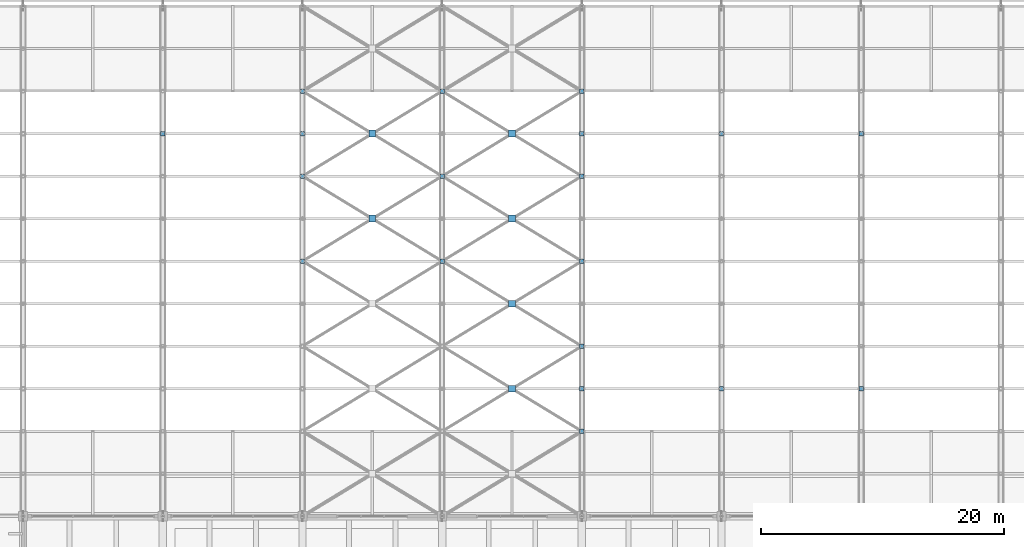
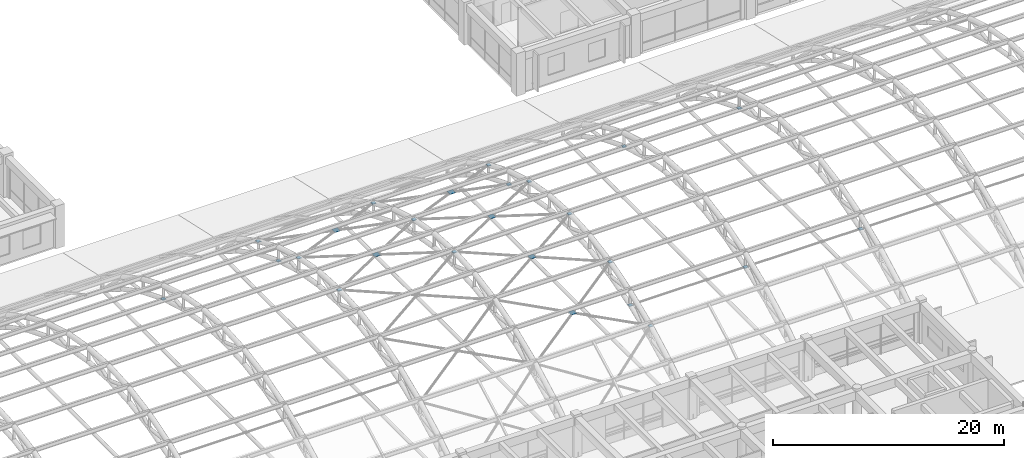
# One storey, part 147 of 154: 25 discrete accessories.
"""IFC4 building model written with IfcOpenShell, lengths in metres."""

from ifc_helpers import new_model, si_unit, direction, frame, origin, origin_2d, place, context, subcontext, project, spatial, rectangle, extrude, material, type_object, element, save


model = new_model("IFC4")

# Units and contexts
model_context = context("Model", 3, precision=1e-05, world=origin(), true_north=direction((0.0, 1.0)))
body_context = subcontext(model_context, "Body", "Model", "MODEL_VIEW")
ifc_project = project(units=[si_unit("LENGTHUNIT", "METRE"), si_unit("AREAUNIT", "SQUARE_METRE"), si_unit("VOLUMEUNIT", "CUBIC_METRE"), si_unit("PLANEANGLEUNIT", "RADIAN"), si_unit("MASSUNIT", "GRAM", prefix="KILO")], contexts=[model_context])

# Site, building, storey
site_placement = place(None, origin())
site = spatial("IfcSite", under=ifc_project, at=site_placement, CompositionType="ELEMENT")
building_placement = place(site_placement, origin())
building = spatial("IfcBuilding", under=site, at=building_placement, Name="Ologun Quay Terminus", CompositionType="ELEMENT")
storey_placement = place(building_placement, frame((0.0, 0.0, 13.800048828125)))
storey = spatial("IfcBuildingStorey", under=building, at=storey_placement, Name="L03", CompositionType="ELEMENT", Elevation=13.800048828125)

# Discrete accessories
ifc_material_1 = material(Name="Steel S355", Category="steel")
discrete_accessory_type_1 = type_object("IfcDiscreteAccessoryType", Name="Brace & Strut End Gusset Connection Plate 360x360x20", PredefinedType="BRACKET", material=ifc_material_1)
for number, where, z_axis, x_axis, name in (
    (1, (69.0, 67.5, 5.419921875), (0.0, 0.0, 1.0), (1.0, 0.0, 0.0), "GUS-END Collector End Gusset B6-K9-E"),
    (2, (80.5, 67.5, 5.419921875), (0.0, 0.0, 1.0), (1.0, 0.0, 0.0), "GUS-END Collector End Gusset B7-K9-E"),
    (3, (92.0, 57.0, 8.7099609375), (0.0, 0.0, 1.0), (1.0, 0.0, 0.0), "GUS-END Wind Brace End Gusset B8-K4-2"),
    (4, (80.5, 57.0, 8.7099609375), (0.0, 0.0, 1.0), (1.0, 0.0, 0.0), "GUS-END Wind Brace End Gusset B8-K4-3"),
    (5, (92.0, 64.0, 7.874267578125), (0.0, 0.0, 1.0), (1.0, 0.0, 0.0), "GUS-END Wind Brace End Gusset B8-K6-2"),
    (6, (80.5, 64.0, 7.874267578125), (0.0, 0.0, 1.0), (1.0, 0.0, 0.0), "GUS-END Wind Brace End Gusset B8-K6-3"),
    (7, (92.0, 71.0, 5.36767578125), (0.0, 0.0, 1.0), (1.0, 0.0, 0.0), "GUS-END Wind Brace End Gusset B8-K8-2"),
    (8, (80.5, 71.0, 5.36767578125), (0.0, 0.0, 1.0), (1.0, 0.0, 0.0), "GUS-END Wind Brace End Gusset B8-K8-3"),
    (9, (103.5, 43.0, 5.36767578125), (0.0, 0.0, 1.0), (1.0, 0.0, 0.0), "GUS-END Wind Brace End Gusset B9-K0-2"),
    (10, (103.5, 50.0, 7.874267578125), (0.0, 0.0, 1.0), (1.0, 0.0, 0.0), "GUS-END Wind Brace End Gusset B9-K2-2"),
    (11, (103.5, 57.0, 8.7099609375), (0.0, 0.0, 1.0), (1.0, 0.0, 0.0), "GUS-END Wind Brace End Gusset B9-K4-2"),
    (12, (103.5, 64.0, 7.874267578125), (0.0, 0.0, 1.0), (1.0, 0.0, 0.0), "GUS-END Wind Brace End Gusset B9-K6-2"),
    (13, (103.5, 71.0, 5.36767578125), (0.0, 0.0, 1.0), (1.0, 0.0, 0.0), "GUS-END Wind Brace End Gusset B9-K8-2"),
    (14, (103.5, 46.5, 5.419921875), (0.0, 0.0, 1.0), (1.0, 0.0, 0.0), "GUS-END Collector End Gusset B10-K3-W"),
    (15, (115.0, 46.5, 5.419921875), (0.0, 0.0, 1.0), (1.0, 0.0, 0.0), "GUS-END Collector End Gusset B10-K3-E"),
    (16, (103.5, 67.5, 5.419921875), (0.0, 0.0, 1.0), (1.0, 0.0, 0.0), "GUS-END Collector End Gusset B10-K9-W"),
    (17, (115.0, 67.5, 5.419921875), (0.0, 0.0, 1.0), (1.0, 0.0, 0.0), "GUS-END Collector End Gusset B10-K9-E"),
    (18, (126.5, 46.5, 5.419921875), (0.0, 0.0, 1.0), (1.0, 0.0, 0.0), "GUS-END Collector End Gusset B11-K3-E"),
    (19, (126.5, 67.5, 5.419921875), (0.0, 0.0, 1.0), (1.0, 0.0, 0.0), "GUS-END Collector End Gusset B11-K9-E"),
):
    element("IfcDiscreteAccessory", number, at=place(storey_placement, frame(where, z_axis=z_axis, x_axis=x_axis)), inside=storey, type_object=discrete_accessory_type_1, Name=name, PredefinedType="BRACKET", context=body_context, shape_type="SweptSolid", body=[
        extrude(rectangle(XDim=0.360107421875, YDim=0.360107421875, at=origin_2d()), origin(), (0.0, 0.0, 1.0), 0.02001953125),
    ])
ifc_material_2 = material(Name="Steel S355", Category="steel")
discrete_accessory_type_2 = type_object("IfcDiscreteAccessoryType", Name="X-Brace Central Gusset Node Plate 560x560x20", PredefinedType="BRACKET", material=ifc_material_2)
for number, where, z_axis, x_axis, name in (
    (20, (86.25, 60.5, 8.292236328125), (0.0, 0.0, 1.0), (1.0, 0.0, 0.0), "GUS-XB X-Brace Crossing Node Plate B8-K6"),
    (21, (86.25, 67.5, 6.62109375), (0.0, 0.0, 1.0), (1.0, 0.0, 0.0), "GUS-XB X-Brace Crossing Node Plate B8-K8"),
    (22, (97.75, 46.5, 6.62109375), (0.0, 0.0, 1.0), (1.0, 0.0, 0.0), "GUS-XB X-Brace Crossing Node Plate B9-K2"),
    (23, (97.75, 53.5, 8.292236328125), (0.0, 0.0, 1.0), (1.0, 0.0, 0.0), "GUS-XB X-Brace Crossing Node Plate B9-K4"),
    (24, (97.75, 60.5, 8.292236328125), (0.0, 0.0, 1.0), (1.0, 0.0, 0.0), "GUS-XB X-Brace Crossing Node Plate B9-K6"),
    (25, (97.75, 67.5, 6.62109375), (0.0, 0.0, 1.0), (1.0, 0.0, 0.0), "GUS-XB X-Brace Crossing Node Plate B9-K8"),
):
    element("IfcDiscreteAccessory", number, at=place(storey_placement, frame(where, z_axis=z_axis, x_axis=x_axis)), inside=storey, type_object=discrete_accessory_type_2, Name=name, PredefinedType="BRACKET", context=body_context, shape_type="SweptSolid", body=[
        extrude(rectangle(XDim=0.56005859375, YDim=0.56005859375, at=origin_2d()), origin(), (0.0, 0.0, 1.0), 0.02001953125),
    ])

save(model, "model.ifc")
